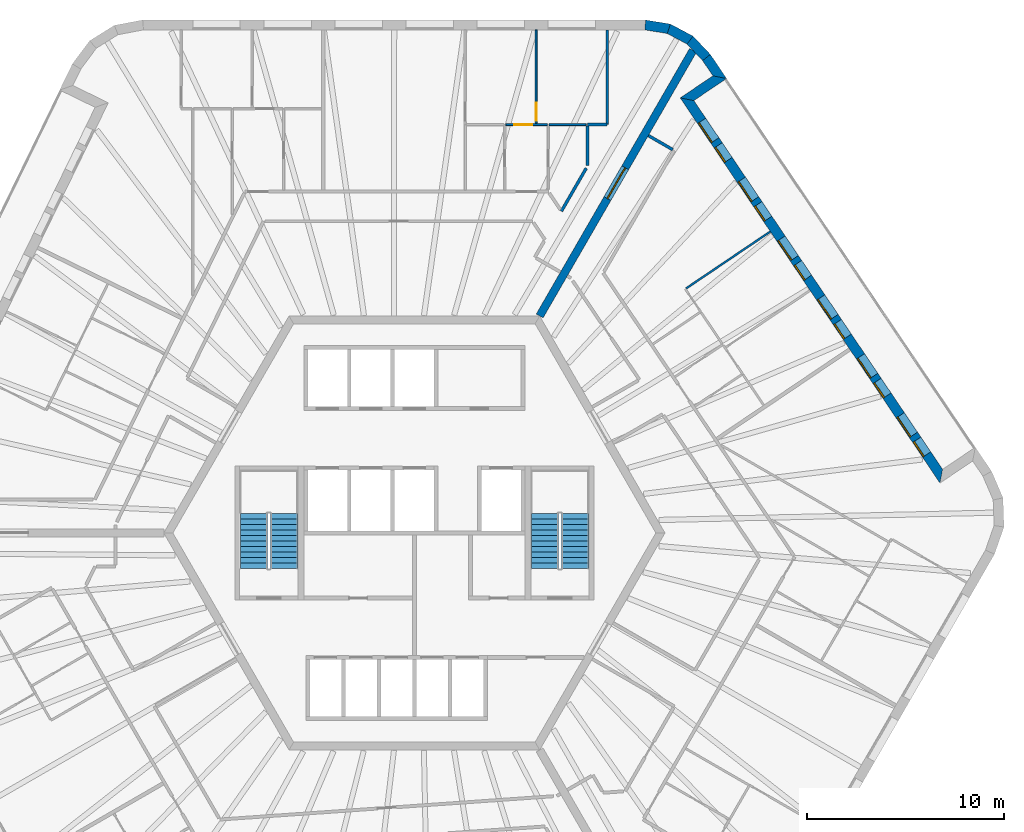
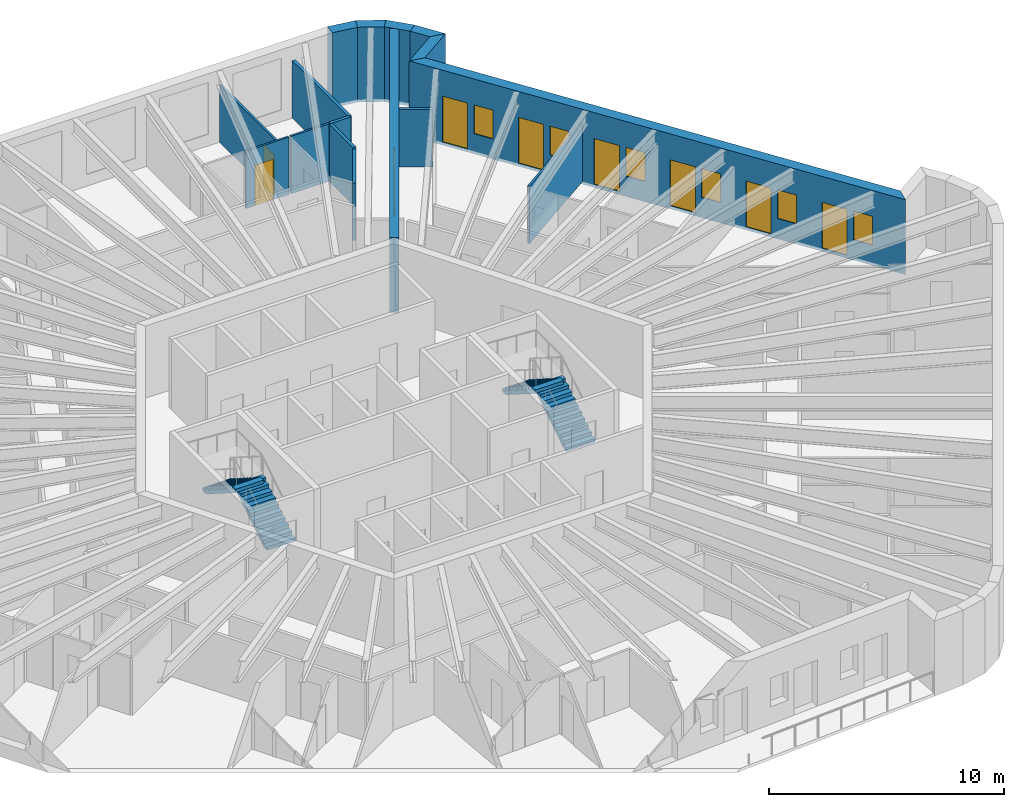
# One storey, part 11 of 12: 16 walls, 9 doors, 6 windows, 4 stair flights, 15 openings, 2 elements without a shape of their own.
"""IFC4 building model written with IfcOpenShell, lengths in metres."""

from ifc_helpers import new_model, si_unit, direction, frame, frame_2d, origin, place, context, subcontext, project, spatial, polyline, rectangle, outline, extrude, material, layer, layer_set, type_object, element, fill, aggregate, save


model = new_model("IFC4")

# Units and contexts
model_context = context("Model", 3, precision=1e-05, world=origin(), true_north=direction((0.0, 1.0)))
body_context = subcontext(model_context, "Body", "Model", "MODEL_VIEW")
ifc_project = project(units=[si_unit("LENGTHUNIT", "METRE"), si_unit("AREAUNIT", "SQUARE_METRE"), si_unit("VOLUMEUNIT", "CUBIC_METRE"), si_unit("PLANEANGLEUNIT", "RADIAN"), si_unit("MASSUNIT", "GRAM", prefix="KILO")], contexts=[model_context])

# Site, building, storey
site_placement = place(None, origin())
site = spatial("IfcSite", under=ifc_project, at=site_placement, CompositionType="ELEMENT")
building_placement = place(site_placement, origin())
building = spatial("IfcBuilding", under=site, at=building_placement, Name="Tarnside Tower", CompositionType="ELEMENT")
storey_placement = place(building_placement, frame((0.0, 0.0, 283.5)))
storey = spatial("IfcBuildingStorey", under=building, at=storey_placement, Name="L68", CompositionType="ELEMENT", Elevation=283.5)

# Wall
ifc_material_1 = material(Name="Gypsum board partition on steel studs", Category="steel")
ifc_layer_1 = layer(ifc_material_1, 0.10009765625)
ifc_layer_set_1 = layer_set([ifc_layer_1], Name="Bathroom wall 100")
wall_type_1 = type_object("IfcWallType", Name="Bathroom wall 100", PredefinedType="PARTITIONING", material=ifc_layer_set_1)
wall_1_placement = place(storey_placement, frame((6.836181640625, 20.699951171875, 0.0), z_axis=(0.0, 0.0, 1.0), x_axis=(1.0, 0.0, 0.0)))
element("IfcWall", 1, at=wall_1_placement, inside=storey, type_object=wall_type_1, Name="Bathroom wall 22094", PredefinedType="PARTITIONING", context=body_context, shape_type="SweptSolid", body=[
    extrude(rectangle(XDim=1.875, YDim=0.10009765625, at=frame_2d((0.9375, 0.0))), origin(), (0.0, 0.0, 1.0), 2.98779296875),
])

# Wall, opening, door
ifc_material_2 = material(Name="Concrete C60/75", Category="concrete")
ifc_layer_2 = layer(ifc_material_2, 0.39990234375)
ifc_layer_set_2 = layer_set([ifc_layer_2], Name="Core wall Z3 400 C60/75")
wall_type_2 = type_object("IfcWallType", Name="Core wall Z3 400 C60/75", PredefinedType="SHEAR", material=ifc_layer_set_2)
wall_2_placement = place(storey_placement, frame((6.350830078125, 11.0, -0.14990234375), z_axis=(0.0, 0.0, 1.0), x_axis=(0.499998894578, 0.866026041999, 0.0)))
wall_2 = element("IfcWall", 2, at=wall_2_placement, inside=storey, type_object=wall_type_2, Name="L68 spine wall 1", PredefinedType="SHEAR", context=body_context, shape_type="SweptSolid", body=[
    extrude(rectangle(XDim=15.54443359375, YDim=0.39990234375, at=frame_2d((7.772216796875, 0.0))), origin(), (0.0, 0.0, 1.0), 3.89990234375),
])
opening_1_placement = place(wall_2_placement, frame((6.872314453125, 0.0, 0.14990234375)))
opening_1 = element("IfcOpeningElement", 3, at=opening_1_placement, cuts=wall_2, Name="Opening CD-SPN", PredefinedType="OPENING", context=body_context, shape_type="SweptSolid", body=[
    extrude(rectangle(XDim=1.800048828125, YDim=2.39990234375, at=frame_2d((0.89990234375, 1.199951171875))), frame((0.0, 0.2099609375, 0.0), z_axis=(0.0, -1.0, 0.0), x_axis=(1.0, 0.0, 0.0)), (0.0, 0.0, 1.0), 0.419921875),
])
ifc_material_3 = material(Name="Steel fire door", Category="steel")
door_type_1 = type_object("IfcDoorType", Name="Spine passage double door FD60 1800x2400", OperationType="NOTDEFINED", PredefinedType="DOOR", material=ifc_material_3)
door_1_placement = place(opening_1_placement, origin())
door_1 = element("IfcDoor", 4, at=door_1_placement, inside=storey, type_object=door_type_1, Name="L68 spine passage door 1", OperationType="DOUBLE_DOOR_SINGLE_SWING", OverallHeight=2.39990234375, OverallWidth=1.800048828125, PredefinedType="DOOR", context=body_context, shape_type="SweptSolid", body=[
    extrude(rectangle(XDim=1.800048828125, YDim=2.39990234375, at=frame_2d((0.89990234375, 1.199951171875))), frame((0.0, 0.02490234375, 0.0), z_axis=(0.0, -1.0, 0.0), x_axis=(1.0, 0.0, 0.0)), (0.0, 0.0, 1.0), 0.050048828125),
])
fill(opening_1, door_1)

# Walls
ifc_layer_3 = layer(ifc_material_1, 0.14990234375)
ifc_layer_set_3 = layer_set([ifc_layer_3], Name="Corridor wall 150 EI 60")
wall_type_3 = type_object("IfcWallType", Name="Corridor wall 150 EI 60", PredefinedType="PARTITIONING", material=ifc_layer_set_3)
wall_3_placement = place(storey_placement, frame((9.77392578125, 20.699951171875, 0.0), z_axis=(0.0, 0.0, 1.0), x_axis=(-1.0, 0.0, 0.0)))
element("IfcWall", 5, at=wall_3_placement, inside=storey, type_object=wall_type_3, Name="Corridor wall 22004", PredefinedType="PARTITIONING", context=body_context, shape_type="SweptSolid", body=[
    extrude(rectangle(XDim=0.991455078125, YDim=0.14990234375, at=frame_2d((0.49560546875, 0.0))), origin(), (0.0, 0.0, 1.0), 2.98779296875),
])
wall_4_placement = place(storey_placement, frame((9.775146484375, 25.5, 0.0), z_axis=(0.0, 0.0, 1.0), x_axis=(0.0, -1.0, 0.0)))
element("IfcWall", 6, at=wall_4_placement, inside=storey, type_object=wall_type_3, Name="Corridor wall 22005", PredefinedType="PARTITIONING", context=body_context, shape_type="SweptSolid", body=[
    extrude(rectangle(XDim=4.798828125, YDim=0.14990234375, at=frame_2d((2.3994140625, 0.0))), origin(), (0.0, 0.0, 1.0), 2.98779296875),
])
wall_5_placement = place(storey_placement, frame((8.7861328125, 20.625, 0.0), z_axis=(0.0, 0.0, 1.0), x_axis=(0.0, -1.0, 0.0)))
element("IfcWall", 7, at=wall_5_placement, inside=storey, type_object=wall_type_3, Name="Corridor wall 22006", PredefinedType="PARTITIONING", context=body_context, shape_type="SweptSolid", body=[
    extrude(rectangle(XDim=2.007080078125, YDim=0.14990234375, at=frame_2d((1.00341796875, 0.0))), origin(), (0.0, 0.0, 1.0), 2.98779296875),
])
wall_6_placement = place(storey_placement, frame((8.711181640625, 18.488037109375, 0.0), z_axis=(0.0, 0.0, 1.0), x_axis=(-0.500075402517, -0.865981865744, 0.0)))
element("IfcWall", 8, at=wall_6_placement, inside=storey, type_object=wall_type_3, Name="Corridor wall 22007", PredefinedType="PARTITIONING", context=body_context, shape_type="SweptSolid", body=[
    extrude(rectangle(XDim=2.5146484375, YDim=0.14990234375, at=frame_2d((1.25732421875, 0.0))), origin(), (0.0, 0.0, 1.0), 2.98779296875),
])
wall_7_placement = place(storey_placement, frame((13.09423828125, 19.429931640625, 0.0), z_axis=(0.0, 0.0, 1.0), x_axis=(-0.866062911188, 0.499935029643, 0.0)))
element("IfcWall", 9, at=wall_7_placement, inside=storey, type_object=wall_type_3, Name="Corridor wall 22068", PredefinedType="PARTITIONING", context=body_context, shape_type="SweptSolid", body=[
    extrude(rectangle(XDim=1.425048828125, YDim=0.14990234375, at=frame_2d((0.71240234375, 0.0))), origin(), (0.0, 0.0, 1.0), 2.98779296875),
])

# Wall, openings, doors, windows
ifc_material_4 = material(Name="Dark zinc cladding")
ifc_layer_4 = layer(ifc_material_4, 0.10205078125)
ifc_material_5 = material(Name="Concrete C60/75 precast", Category="concrete")
ifc_layer_5 = layer(ifc_material_5, 0.298095703125)
ifc_material_6 = material(Name="Mineral wool insulation")
ifc_layer_6 = layer(ifc_material_6, 0.10009765625)
ifc_layer_set_4 = layer_set([ifc_layer_4, ifc_layer_5, ifc_layer_6], Name="Loggia wall 500 zinc faced")
wall_type_4 = type_object("IfcWallType", Name="Loggia wall 500 zinc faced", PredefinedType="SOLIDWALL", material=ifc_layer_set_4)
wall_8_placement = place(storey_placement, frame((26.705810546875, 2.87890625, -0.14990234375), z_axis=(0.0, 0.0, 1.0), x_axis=(-0.559197891507, 0.829034208061, 0.0)))
wall_8 = element("IfcWall", 10, at=wall_8_placement, inside=storey, type_object=wall_type_4, Name="Tube wall L68 F6 back 30", PredefinedType="SOLIDWALL", context=body_context, shape_type="SweptSolid", body=[
    extrude(outline(polyline([(0.25, -0.25), (22.794677734375, -0.25), (23.294677734375, 0.25), (-0.25, 0.25), (0.25, -0.25)])), origin(), (0.0, 0.0, 1.0), 3.89990234375),
])
opening_2_placement = place(wall_8_placement, frame((1.322509765625, 0.0, 1.050048828125)))
opening_2 = element("IfcOpeningElement", 11, at=opening_2_placement, cuts=wall_8, Name="Opening WL500", PredefinedType="OPENING", context=body_context, shape_type="SweptSolid", body=[
    extrude(rectangle(XDim=0.89990234375, YDim=1.5, at=frame_2d((0.449951171875, 0.75))), frame((0.0, 0.260009765625, 0.0), z_axis=(0.0, -1.0, 0.0), x_axis=(1.0, 0.0, 0.0)), (0.0, 0.0, 1.0), 0.52001953125),
])
opening_3_placement = place(wall_8_placement, frame((2.5224609375, 0.0, 0.14990234375)))
opening_3 = element("IfcOpeningElement", 12, at=opening_3_placement, cuts=wall_8, Name="Opening DB500", PredefinedType="OPENING", context=body_context, shape_type="SweptSolid", body=[
    extrude(rectangle(XDim=1.199951171875, YDim=2.39990234375, at=frame_2d((0.60009765625, 1.199951171875))), frame((0.0, 0.260009765625, 0.0), z_axis=(0.0, -1.0, 0.0), x_axis=(1.0, 0.0, 0.0)), (0.0, 0.0, 1.0), 0.52001953125),
])
opening_4_placement = place(wall_8_placement, frame((4.92236328125, 0.0, 1.050048828125)))
opening_4 = element("IfcOpeningElement", 13, at=opening_4_placement, cuts=wall_8, Name="Opening WL500", PredefinedType="OPENING", context=body_context, shape_type="SweptSolid", body=[
    extrude(rectangle(XDim=0.89990234375, YDim=1.5, at=frame_2d((0.449951171875, 0.75))), frame((0.0, 0.260009765625, 0.0), z_axis=(0.0, -1.0, 0.0), x_axis=(1.0, 0.0, 0.0)), (0.0, 0.0, 1.0), 0.52001953125),
])
opening_5_placement = place(wall_8_placement, frame((6.122314453125, 0.0, 0.14990234375)))
opening_5 = element("IfcOpeningElement", 14, at=opening_5_placement, cuts=wall_8, Name="Opening DB500", PredefinedType="OPENING", context=body_context, shape_type="SweptSolid", body=[
    extrude(rectangle(XDim=1.199951171875, YDim=2.39990234375, at=frame_2d((0.60009765625, 1.199951171875))), frame((0.0, 0.260009765625, 0.0), z_axis=(0.0, -1.0, 0.0), x_axis=(1.0, 0.0, 0.0)), (0.0, 0.0, 1.0), 0.52001953125),
])
opening_6_placement = place(wall_8_placement, frame((8.5224609375, 0.0, 1.050048828125)))
opening_6 = element("IfcOpeningElement", 15, at=opening_6_placement, cuts=wall_8, Name="Opening WL500", PredefinedType="OPENING", context=body_context, shape_type="SweptSolid", body=[
    extrude(rectangle(XDim=0.89990234375, YDim=1.5, at=frame_2d((0.449951171875, 0.75))), frame((0.0, 0.260009765625, 0.0), z_axis=(0.0, -1.0, 0.0), x_axis=(1.0, 0.0, 0.0)), (0.0, 0.0, 1.0), 0.52001953125),
])
opening_7_placement = place(wall_8_placement, frame((9.722412109375, 0.0, 0.14990234375)))
opening_7 = element("IfcOpeningElement", 16, at=opening_7_placement, cuts=wall_8, Name="Opening DB500", PredefinedType="OPENING", context=body_context, shape_type="SweptSolid", body=[
    extrude(rectangle(XDim=1.199951171875, YDim=2.39990234375, at=frame_2d((0.60009765625, 1.199951171875))), frame((0.0, 0.260009765625, 0.0), z_axis=(0.0, -1.0, 0.0), x_axis=(1.0, 0.0, 0.0)), (0.0, 0.0, 1.0), 0.52001953125),
])
opening_8_placement = place(wall_8_placement, frame((12.122314453125, 0.0, 1.050048828125)))
opening_8 = element("IfcOpeningElement", 17, at=opening_8_placement, cuts=wall_8, Name="Opening WL500", PredefinedType="OPENING", context=body_context, shape_type="SweptSolid", body=[
    extrude(rectangle(XDim=0.89990234375, YDim=1.5, at=frame_2d((0.449951171875, 0.75))), frame((0.0, 0.260009765625, 0.0), z_axis=(0.0, -1.0, 0.0), x_axis=(1.0, 0.0, 0.0)), (0.0, 0.0, 1.0), 0.52001953125),
])
opening_9_placement = place(wall_8_placement, frame((13.322509765625, 0.0, 0.14990234375)))
opening_9 = element("IfcOpeningElement", 18, at=opening_9_placement, cuts=wall_8, Name="Opening DB500", PredefinedType="OPENING", context=body_context, shape_type="SweptSolid", body=[
    extrude(rectangle(XDim=1.199951171875, YDim=2.39990234375, at=frame_2d((0.60009765625, 1.199951171875))), frame((0.0, 0.260009765625, 0.0), z_axis=(0.0, -1.0, 0.0), x_axis=(1.0, 0.0, 0.0)), (0.0, 0.0, 1.0), 0.52001953125),
])
opening_10_placement = place(wall_8_placement, frame((15.722412109375, 0.0, 1.050048828125)))
opening_10 = element("IfcOpeningElement", 19, at=opening_10_placement, cuts=wall_8, Name="Opening WL500", PredefinedType="OPENING", context=body_context, shape_type="SweptSolid", body=[
    extrude(rectangle(XDim=0.89990234375, YDim=1.5, at=frame_2d((0.449951171875, 0.75))), frame((0.0, 0.260009765625, 0.0), z_axis=(0.0, -1.0, 0.0), x_axis=(1.0, 0.0, 0.0)), (0.0, 0.0, 1.0), 0.52001953125),
])
opening_11_placement = place(wall_8_placement, frame((16.92236328125, 0.0, 0.14990234375)))
opening_11 = element("IfcOpeningElement", 20, at=opening_11_placement, cuts=wall_8, Name="Opening DB500", PredefinedType="OPENING", context=body_context, shape_type="SweptSolid", body=[
    extrude(rectangle(XDim=1.199951171875, YDim=2.39990234375, at=frame_2d((0.60009765625, 1.199951171875))), frame((0.0, 0.260009765625, 0.0), z_axis=(0.0, -1.0, 0.0), x_axis=(1.0, 0.0, 0.0)), (0.0, 0.0, 1.0), 0.52001953125),
])
opening_12_placement = place(wall_8_placement, frame((19.322509765625, 0.0, 1.050048828125)))
opening_12 = element("IfcOpeningElement", 21, at=opening_12_placement, cuts=wall_8, Name="Opening WL500", PredefinedType="OPENING", context=body_context, shape_type="SweptSolid", body=[
    extrude(rectangle(XDim=0.89990234375, YDim=1.5, at=frame_2d((0.449951171875, 0.75))), frame((0.0, 0.260009765625, 0.0), z_axis=(0.0, -1.0, 0.0), x_axis=(1.0, 0.0, 0.0)), (0.0, 0.0, 1.0), 0.52001953125),
])
opening_13_placement = place(wall_8_placement, frame((20.5224609375, 0.0, 0.14990234375)))
opening_13 = element("IfcOpeningElement", 22, at=opening_13_placement, cuts=wall_8, Name="Opening DB500", PredefinedType="OPENING", context=body_context, shape_type="SweptSolid", body=[
    extrude(rectangle(XDim=1.199951171875, YDim=2.39990234375, at=frame_2d((0.60009765625, 1.199951171875))), frame((0.0, 0.260009765625, 0.0), z_axis=(0.0, -1.0, 0.0), x_axis=(1.0, 0.0, 0.0)), (0.0, 0.0, 1.0), 0.52001953125),
])
ifc_material_7 = material(Name="Aluminium-framed double glazing", Category="aluminium")
door_type_2 = type_object("IfcDoorType", Name="Balcony sliding door 1200 x 2400 in 500 wall", OperationType="SLIDING_TO_LEFT", PredefinedType="DOOR", material=ifc_material_7)
door_2_placement = place(opening_3_placement, frame((0.0, 0.1748046875, 0.0)))
door_2 = element("IfcDoor", 23, at=door_2_placement, inside=storey, type_object=door_type_2, Name="E.BD.L68.F6.00", OperationType="SLIDING_TO_LEFT", OverallHeight=2.39990234375, OverallWidth=1.199951171875, PredefinedType="DOOR", context=body_context, shape_type="SweptSolid", body=[
    extrude(rectangle(XDim=1.199951171875, YDim=2.39990234375, at=frame_2d((0.60009765625, 1.199951171875))), frame((0.0, 0.02490234375, 0.0), z_axis=(0.0, -1.0, 0.0), x_axis=(1.0, 0.0, 0.0)), (0.0, 0.0, 1.0), 0.050048828125),
])
fill(opening_3, door_2)
door_3_placement = place(opening_5_placement, frame((0.0, 0.1748046875, 0.0)))
door_3 = element("IfcDoor", 24, at=door_3_placement, inside=storey, type_object=door_type_2, Name="E.BD.L68.F6.01", OperationType="SLIDING_TO_LEFT", OverallHeight=2.39990234375, OverallWidth=1.199951171875, PredefinedType="DOOR", context=body_context, shape_type="SweptSolid", body=[
    extrude(rectangle(XDim=1.199951171875, YDim=2.39990234375, at=frame_2d((0.60009765625, 1.199951171875))), frame((0.0, 0.02490234375, 0.0), z_axis=(0.0, -1.0, 0.0), x_axis=(1.0, 0.0, 0.0)), (0.0, 0.0, 1.0), 0.050048828125),
])
fill(opening_5, door_3)
door_4_placement = place(opening_7_placement, frame((0.0, 0.1748046875, 0.0)))
door_4 = element("IfcDoor", 25, at=door_4_placement, inside=storey, type_object=door_type_2, Name="E.BD.L68.F6.02", OperationType="SLIDING_TO_LEFT", OverallHeight=2.39990234375, OverallWidth=1.199951171875, PredefinedType="DOOR", context=body_context, shape_type="SweptSolid", body=[
    extrude(rectangle(XDim=1.199951171875, YDim=2.39990234375, at=frame_2d((0.60009765625, 1.199951171875))), frame((0.0, 0.02490234375, 0.0), z_axis=(0.0, -1.0, 0.0), x_axis=(1.0, 0.0, 0.0)), (0.0, 0.0, 1.0), 0.050048828125),
])
fill(opening_7, door_4)
door_5_placement = place(opening_9_placement, frame((0.0, 0.1748046875, 0.0)))
door_5 = element("IfcDoor", 26, at=door_5_placement, inside=storey, type_object=door_type_2, Name="E.BD.L68.F6.03", OperationType="SLIDING_TO_LEFT", OverallHeight=2.39990234375, OverallWidth=1.199951171875, PredefinedType="DOOR", context=body_context, shape_type="SweptSolid", body=[
    extrude(rectangle(XDim=1.199951171875, YDim=2.39990234375, at=frame_2d((0.60009765625, 1.199951171875))), frame((0.0, 0.02490234375, 0.0), z_axis=(0.0, -1.0, 0.0), x_axis=(1.0, 0.0, 0.0)), (0.0, 0.0, 1.0), 0.050048828125),
])
fill(opening_9, door_5)
door_6_placement = place(opening_11_placement, frame((0.0, 0.1748046875, 0.0)))
door_6 = element("IfcDoor", 27, at=door_6_placement, inside=storey, type_object=door_type_2, Name="E.BD.L68.F6.04", OperationType="SLIDING_TO_LEFT", OverallHeight=2.39990234375, OverallWidth=1.199951171875, PredefinedType="DOOR", context=body_context, shape_type="SweptSolid", body=[
    extrude(rectangle(XDim=1.199951171875, YDim=2.39990234375, at=frame_2d((0.60009765625, 1.199951171875))), frame((0.0, 0.02490234375, 0.0), z_axis=(0.0, -1.0, 0.0), x_axis=(1.0, 0.0, 0.0)), (0.0, 0.0, 1.0), 0.050048828125),
])
fill(opening_11, door_6)
door_7_placement = place(opening_13_placement, frame((0.0, 0.1748046875, 0.0)))
door_7 = element("IfcDoor", 28, at=door_7_placement, inside=storey, type_object=door_type_2, Name="E.BD.L68.F6.05", OperationType="SLIDING_TO_LEFT", OverallHeight=2.39990234375, OverallWidth=1.199951171875, PredefinedType="DOOR", context=body_context, shape_type="SweptSolid", body=[
    extrude(rectangle(XDim=1.199951171875, YDim=2.39990234375, at=frame_2d((0.60009765625, 1.199951171875))), frame((0.0, 0.02490234375, 0.0), z_axis=(0.0, -1.0, 0.0), x_axis=(1.0, 0.0, 0.0)), (0.0, 0.0, 1.0), 0.050048828125),
])
fill(opening_13, door_7)
window_type = type_object("IfcWindowType", Name="Loggia window 900 x 1500 in 500 wall", PartitioningType="SINGLE_PANEL", PredefinedType="WINDOW", material=ifc_material_7)
window_1_placement = place(opening_2_placement, frame((0.0, 0.179931640625, 0.0)))
window_1 = element("IfcWindow", 29, at=window_1_placement, inside=storey, type_object=window_type, Name="E.LW.L68.F6.00", OverallHeight=1.5, OverallWidth=0.89990234375, PartitioningType="SINGLE_PANEL", PredefinedType="WINDOW", context=body_context, shape_type="SweptSolid", body=[
    extrude(rectangle(XDim=0.89990234375, YDim=1.5, at=frame_2d((0.449951171875, 0.75))), frame((0.0, 0.030029296875, 0.0), z_axis=(0.0, -1.0, 0.0), x_axis=(1.0, 0.0, 0.0)), (0.0, 0.0, 1.0), 0.06005859375),
])
fill(opening_2, window_1)
window_2_placement = place(opening_4_placement, frame((0.0, 0.179931640625, 0.0)))
window_2 = element("IfcWindow", 30, at=window_2_placement, inside=storey, type_object=window_type, Name="E.LW.L68.F6.01", OverallHeight=1.5, OverallWidth=0.89990234375, PartitioningType="SINGLE_PANEL", PredefinedType="WINDOW", context=body_context, shape_type="SweptSolid", body=[
    extrude(rectangle(XDim=0.89990234375, YDim=1.5, at=frame_2d((0.449951171875, 0.75))), frame((0.0, 0.030029296875, 0.0), z_axis=(0.0, -1.0, 0.0), x_axis=(1.0, 0.0, 0.0)), (0.0, 0.0, 1.0), 0.06005859375),
])
fill(opening_4, window_2)
window_3_placement = place(opening_6_placement, frame((0.0, 0.179931640625, 0.0)))
window_3 = element("IfcWindow", 31, at=window_3_placement, inside=storey, type_object=window_type, Name="E.LW.L68.F6.02", OverallHeight=1.5, OverallWidth=0.89990234375, PartitioningType="SINGLE_PANEL", PredefinedType="WINDOW", context=body_context, shape_type="SweptSolid", body=[
    extrude(rectangle(XDim=0.89990234375, YDim=1.5, at=frame_2d((0.449951171875, 0.75))), frame((0.0, 0.030029296875, 0.0), z_axis=(0.0, -1.0, 0.0), x_axis=(1.0, 0.0, 0.0)), (0.0, 0.0, 1.0), 0.06005859375),
])
fill(opening_6, window_3)
window_4_placement = place(opening_8_placement, frame((0.0, 0.179931640625, 0.0)))
window_4 = element("IfcWindow", 32, at=window_4_placement, inside=storey, type_object=window_type, Name="E.LW.L68.F6.03", OverallHeight=1.5, OverallWidth=0.89990234375, PartitioningType="SINGLE_PANEL", PredefinedType="WINDOW", context=body_context, shape_type="SweptSolid", body=[
    extrude(rectangle(XDim=0.89990234375, YDim=1.5, at=frame_2d((0.449951171875, 0.75))), frame((0.0, 0.030029296875, 0.0), z_axis=(0.0, -1.0, 0.0), x_axis=(1.0, 0.0, 0.0)), (0.0, 0.0, 1.0), 0.06005859375),
])
fill(opening_8, window_4)
window_5_placement = place(opening_10_placement, frame((0.0, 0.179931640625, 0.0)))
window_5 = element("IfcWindow", 33, at=window_5_placement, inside=storey, type_object=window_type, Name="E.LW.L68.F6.04", OverallHeight=1.5, OverallWidth=0.89990234375, PartitioningType="SINGLE_PANEL", PredefinedType="WINDOW", context=body_context, shape_type="SweptSolid", body=[
    extrude(rectangle(XDim=0.89990234375, YDim=1.5, at=frame_2d((0.449951171875, 0.75))), frame((0.0, 0.030029296875, 0.0), z_axis=(0.0, -1.0, 0.0), x_axis=(1.0, 0.0, 0.0)), (0.0, 0.0, 1.0), 0.06005859375),
])
fill(opening_10, window_5)
window_6_placement = place(opening_12_placement, frame((0.0, 0.179931640625, 0.0)))
window_6 = element("IfcWindow", 34, at=window_6_placement, inside=storey, type_object=window_type, Name="E.LW.L68.F6.05", OverallHeight=1.5, OverallWidth=0.89990234375, PartitioningType="SINGLE_PANEL", PredefinedType="WINDOW", context=body_context, shape_type="SweptSolid", body=[
    extrude(rectangle(XDim=0.89990234375, YDim=1.5, at=frame_2d((0.449951171875, 0.75))), frame((0.0, 0.030029296875, 0.0), z_axis=(0.0, -1.0, 0.0), x_axis=(1.0, 0.0, 0.0)), (0.0, 0.0, 1.0), 0.06005859375),
])
fill(opening_12, window_6)

# Walls
wall_9_placement = place(storey_placement, frame((13.8193359375, 21.983642578125, -0.14990234375), z_axis=(0.0, 0.0, 1.0), x_axis=(0.829052389485, 0.559170935841, 0.0)))
element("IfcWall", 35, at=wall_9_placement, inside=storey, type_object=wall_type_4, Name="Tube wall L68 F6 return 31", PredefinedType="SOLIDWALL", context=body_context, shape_type="SweptSolid", body=[
    extrude(outline(polyline([(0.25, -0.25), (2.25, -0.25), (1.75, 0.25), (-0.25, 0.25), (0.25, -0.25)])), origin(), (0.0, 0.0, 1.0), 3.89990234375),
])
wall_10_placement = place(storey_placement, frame((15.4775390625, 23.10205078125, -0.14990234375), z_axis=(0.0, 0.0, 1.0), x_axis=(-0.559245726333, 0.829001940636, 0.0)))
element("IfcWall", 36, at=wall_10_placement, inside=storey, type_object=wall_type_4, Name="Tube wall L68 F6 stub 32", PredefinedType="SOLIDWALL", context=body_context, shape_type="SweptSolid", body=[
    extrude(outline(polyline([(-0.25, -0.25), (1.220703125, -0.25), (1.1796875, 0.25), (0.25, 0.25), (-0.25, -0.25)])), origin(), (0.0, 0.0, 1.0), 3.89990234375),
])

# Wall, opening, door
ifc_layer_7 = layer(ifc_material_1, 0.10009765625)
ifc_layer_set_5 = layer_set([ifc_layer_7], Name="Partition 100")
wall_type_5 = type_object("IfcWallType", Name="Partition 100", PredefinedType="PARTITIONING", material=ifc_layer_set_5)
wall_11_placement = place(storey_placement, frame((6.738037109375, 20.699951171875, 0.0), z_axis=(0.0, 0.0, 1.0), x_axis=(-1.0, 0.0, 0.0)))
wall_11 = element("IfcWall", 37, at=wall_11_placement, inside=storey, type_object=wall_type_5, Name="Partition wall 22089", PredefinedType="PARTITIONING", context=body_context, shape_type="SweptSolid", body=[
    extrude(rectangle(XDim=2.10400390625, YDim=0.10009765625, at=frame_2d((1.052001953125, 0.0))), origin(), (0.0, 0.0, 1.0), 2.98779296875),
])
opening_14_placement = place(wall_11_placement, frame((0.762939453125, 0.0, 0.0)))
opening_14 = element("IfcOpeningElement", 38, at=opening_14_placement, cuts=wall_11, Name="Opening D-I1", PredefinedType="OPENING", context=body_context, shape_type="SweptSolid", body=[
    extrude(rectangle(XDim=0.89990234375, YDim=2.10009765625, at=frame_2d((0.449951171875, 1.050048828125))), frame((0.0, 0.06005859375, 0.0), z_axis=(0.0, -1.0, 0.0), x_axis=(1.0, 0.0, 0.0)), (0.0, 0.0, 1.0), 0.1201171875),
])
ifc_material_8 = material(Name="Timber door leaf", Category="wood")
door_type_3 = type_object("IfcDoorType", Name="Internal door 900", OperationType="NOTDEFINED", PredefinedType="DOOR", material=ifc_material_8)
door_8_placement = place(opening_14_placement, origin())
door_8 = element("IfcDoor", 39, at=door_8_placement, inside=storey, type_object=door_type_3, Name="Internal door 22005", OperationType="SINGLE_SWING_RIGHT", OverallHeight=2.10009765625, OverallWidth=0.89990234375, PredefinedType="DOOR", context=body_context, shape_type="SweptSolid", body=[
    extrude(rectangle(XDim=0.89990234375, YDim=2.10009765625, at=frame_2d((0.449951171875, 1.050048828125))), frame((0.0, 0.02490234375, 0.0), z_axis=(0.0, -1.0, 0.0), x_axis=(1.0, 0.0, 0.0)), (0.0, 0.0, 1.0), 0.050048828125),
])
fill(opening_14, door_8)

wall_12_placement = place(storey_placement, frame((6.17529296875, 25.5, 0.0), z_axis=(0.0, 0.0, 1.0), x_axis=(0.0, -1.0, 0.0)))
wall_12 = element("IfcWall", 40, at=wall_12_placement, inside=storey, type_object=wall_type_5, Name="Partition wall 22093", PredefinedType="PARTITIONING", context=body_context, shape_type="SweptSolid", body=[
    extrude(rectangle(XDim=4.75, YDim=0.10009765625, at=frame_2d((2.375, 0.0))), origin(), (0.0, 0.0, 1.0), 2.98779296875),
])
opening_15_placement = place(wall_12_placement, frame((3.699951171875, 0.0, 0.0)))
opening_15 = element("IfcOpeningElement", 41, at=opening_15_placement, cuts=wall_12, Name="Opening D-I1", PredefinedType="OPENING", context=body_context, shape_type="SweptSolid", body=[
    extrude(rectangle(XDim=0.89990234375, YDim=2.10009765625, at=frame_2d((0.449951171875, 1.050048828125))), frame((0.0, 0.06005859375, 0.0), z_axis=(0.0, -1.0, 0.0), x_axis=(1.0, 0.0, 0.0)), (0.0, 0.0, 1.0), 0.1201171875),
])
door_9_placement = place(opening_15_placement, origin())
door_9 = element("IfcDoor", 42, at=door_9_placement, inside=storey, type_object=door_type_3, Name="Internal door 22008", OperationType="SINGLE_SWING_RIGHT", OverallHeight=2.10009765625, OverallWidth=0.89990234375, PredefinedType="DOOR", context=body_context, shape_type="SweptSolid", body=[
    extrude(rectangle(XDim=0.89990234375, YDim=2.10009765625, at=frame_2d((0.449951171875, 1.050048828125))), frame((0.0, 0.02490234375, 0.0), z_axis=(0.0, -1.0, 0.0), x_axis=(1.0, 0.0, 0.0)), (0.0, 0.0, 1.0), 0.050048828125),
])
fill(opening_15, door_9)

# Walls
wall_13_placement = place(storey_placement, frame((13.772705078125, 12.396240234375, 0.0), z_axis=(0.0, 0.0, 1.0), x_axis=(0.82903328576, 0.559199258853, 0.0)))
element("IfcWall", 43, at=wall_13_placement, inside=storey, type_object=wall_type_5, Name="Partition wall 22168", PredefinedType="PARTITIONING", context=body_context, shape_type="SweptSolid", body=[
    extrude(rectangle(XDim=5.14990234375, YDim=0.10009765625, at=frame_2d((2.574951171875, 0.0))), origin(), (0.0, 0.0, 1.0), 2.98779296875),
])
ifc_material_9 = material(Name="Facing brick", Category="masonry")
ifc_layer_8 = layer(ifc_material_9, 0.10205078125)
ifc_layer_9 = layer(ifc_material_5, 0.298095703125)
ifc_layer_10 = layer(ifc_material_6, 0.10009765625)
ifc_layer_set_6 = layer_set([ifc_layer_8, ifc_layer_9, ifc_layer_10], Name="Tube wall 500 brick faced")
wall_type_6 = type_object("IfcWallType", Name="Tube wall 500 brick faced", PredefinedType="SOLIDWALL", material=ifc_layer_set_6)
wall_14_placement = place(storey_placement, frame((14.806396484375, 24.096923828125, -0.14990234375), z_axis=(0.0, 0.0, 1.0), x_axis=(-0.686234452793, 0.727380420275, 0.0)))
element("IfcWall", 44, at=wall_14_placement, inside=storey, type_object=wall_type_6, Name="Tube wall L68 F6 chord 33", PredefinedType="SOLIDWALL", context=body_context, shape_type="SweptSolid", body=[
    extrude(outline(polyline([(-0.0205078125, -0.25), (1.25732421875, -0.25), (1.17529296875, 0.25), (0.0205078125, 0.25), (-0.0205078125, -0.25)])), origin(), (0.0, 0.0, 1.0), 3.89990234375),
])
wall_15_placement = place(storey_placement, frame((13.9716796875, 24.981689453125, -0.14990234375), z_axis=(0.0, 0.0, 1.0), x_axis=(-0.882902492938, 0.469556373575, 0.0)))
element("IfcWall", 45, at=wall_15_placement, inside=storey, type_object=wall_type_6, Name="Tube wall L68 F6 chord 34", PredefinedType="SOLIDWALL", context=body_context, shape_type="SweptSolid", body=[
    extrude(outline(polyline([(-0.041015625, -0.25), (1.257080078125, -0.25), (1.175048828125, 0.25), (0.041015625, 0.25), (-0.041015625, -0.25)])), origin(), (0.0, 0.0, 1.0), 3.89990234375),
])
wall_16_placement = place(storey_placement, frame((12.89794921875, 25.552734375, -0.14990234375), z_axis=(0.0, 0.0, 1.0), x_axis=(-0.986765617372, 0.16215306464, 0.0)))
element("IfcWall", 46, at=wall_16_placement, inside=storey, type_object=wall_type_6, Name="Tube wall L68 F6 chord 35", PredefinedType="SOLIDWALL", context=body_context, shape_type="SweptSolid", body=[
    extrude(outline(polyline([(-0.041015625, -0.25), (1.237060546875, -0.25), (1.196044921875, 0.25), (0.041015625, 0.25), (-0.041015625, -0.25)])), origin(), (0.0, 0.0, 1.0), 3.89990234375),
])

# Stair, stair flights
ifc_material_10 = material(Name="Concrete C40/50", Category="concrete")
stair_type = type_object("IfcStairType", Name="Exit stair 1400 clear", PredefinedType="HALF_TURN_STAIR", material=ifc_material_10)
stair_1_placement = place(storey_placement, origin())
stair_1 = element("IfcStair", 47, at=stair_1_placement, inside=storey, type_object=stair_type, Name="L68 Exit stair 1", PredefinedType="HALF_TURN_STAIR")
stair_flight_type = type_object("IfcStairFlightType", Name="Exit stair flight 1400", PredefinedType="STRAIGHT", material=ifc_material_10)
stair_flight_1_placement = place(storey_placement, frame((8.14990234375, -1.800048828125, 0.0), z_axis=(0.0, 0.0, 1.0), x_axis=(0.0, 1.0, 0.0)))
stair_flight_1 = element("IfcStairFlight", 48, at=stair_flight_1_placement, type_object=stair_flight_type, Name="ST1 flight 1", NumberOfRisers=11, NumberOfTreads=10, PredefinedType="STRAIGHT", RiserHeight=0.177272727, TreadLength=0.28, context=body_context, shape_type="SweptSolid", body=[
    extrude(outline(polyline([(0.0, 0.0), (0.0, 0.17724609375), (0.280029296875, 0.17724609375), (0.280029296875, 0.3544921875), (0.56005859375, 0.3544921875), (0.56005859375, 0.53173828125), (0.840087890625, 0.53173828125), (0.840087890625, 0.708984375), (1.1201171875, 0.708984375), (1.1201171875, 0.886474609375), (1.39990234375, 0.886474609375), (1.39990234375, 1.063720703125), (1.679931640625, 1.063720703125), (1.679931640625, 1.240966796875), (1.9599609375, 1.240966796875), (1.9599609375, 1.418212890625), (2.239990234375, 1.418212890625), (2.239990234375, 1.595458984375), (2.52001953125, 1.595458984375), (2.52001953125, 1.772705078125), (2.800048828125, 1.772705078125), (2.800048828125, 1.949951171875), (2.800048828125, 1.59521484375), (0.2802734375, 0.0), (0.0, 0.0)])), frame((0.0, 0.699951171875, 0.0), z_axis=(0.0, -1.0, 0.0), x_axis=(1.0, 0.0, 0.0)), (0.0, 0.0, 1.0), 1.39990234375),
])
stair_flight_2_placement = place(storey_placement, frame((6.60009765625, 1.0, 1.949951171875), z_axis=(0.0, 0.0, 1.0), x_axis=(0.0, -1.0, 0.0)))
stair_flight_2 = element("IfcStairFlight", 49, at=stair_flight_2_placement, type_object=stair_flight_type, Name="ST1 flight 2", NumberOfRisers=11, NumberOfTreads=10, PredefinedType="STRAIGHT", RiserHeight=0.177272727, TreadLength=0.28, context=body_context, shape_type="SweptSolid", body=[
    extrude(outline(polyline([(0.0, 0.0), (0.0, 0.17724609375), (0.280029296875, 0.17724609375), (0.280029296875, 0.3544921875), (0.56005859375, 0.3544921875), (0.56005859375, 0.53173828125), (0.840087890625, 0.53173828125), (0.840087890625, 0.708984375), (1.1201171875, 0.708984375), (1.1201171875, 0.886474609375), (1.39990234375, 0.886474609375), (1.39990234375, 1.063720703125), (1.679931640625, 1.063720703125), (1.679931640625, 1.240966796875), (1.9599609375, 1.240966796875), (1.9599609375, 1.418212890625), (2.239990234375, 1.418212890625), (2.239990234375, 1.595458984375), (2.52001953125, 1.595458984375), (2.52001953125, 1.772705078125), (2.800048828125, 1.772705078125), (2.800048828125, 1.949951171875), (2.800048828125, 1.59521484375), (0.2802734375, 0.0), (0.0, 0.0)])), frame((0.0, 0.699951171875, 0.0), z_axis=(0.0, -1.0, 0.0), x_axis=(1.0, 0.0, 0.0)), (0.0, 0.0, 1.0), 1.39990234375),
])
aggregate(stair_1, [stair_flight_1, stair_flight_2])

stair_2_placement = place(storey_placement, origin())
stair_2 = element("IfcStair", 50, at=stair_2_placement, inside=storey, type_object=stair_type, Name="L68 Exit stair 2", PredefinedType="HALF_TURN_STAIR")
stair_flight_3_placement = place(storey_placement, frame((-6.60009765625, -1.800048828125, 0.0), z_axis=(0.0, 0.0, 1.0), x_axis=(0.0, 1.0, 0.0)))
stair_flight_3 = element("IfcStairFlight", 51, at=stair_flight_3_placement, type_object=stair_flight_type, Name="ST2 flight 1", NumberOfRisers=11, NumberOfTreads=10, PredefinedType="STRAIGHT", RiserHeight=0.177272727, TreadLength=0.28, context=body_context, shape_type="SweptSolid", body=[
    extrude(outline(polyline([(0.0, 0.0), (0.0, 0.17724609375), (0.280029296875, 0.17724609375), (0.280029296875, 0.3544921875), (0.56005859375, 0.3544921875), (0.56005859375, 0.53173828125), (0.840087890625, 0.53173828125), (0.840087890625, 0.708984375), (1.1201171875, 0.708984375), (1.1201171875, 0.886474609375), (1.39990234375, 0.886474609375), (1.39990234375, 1.063720703125), (1.679931640625, 1.063720703125), (1.679931640625, 1.240966796875), (1.9599609375, 1.240966796875), (1.9599609375, 1.418212890625), (2.239990234375, 1.418212890625), (2.239990234375, 1.595458984375), (2.52001953125, 1.595458984375), (2.52001953125, 1.772705078125), (2.800048828125, 1.772705078125), (2.800048828125, 1.949951171875), (2.800048828125, 1.59521484375), (0.2802734375, 0.0), (0.0, 0.0)])), frame((0.0, 0.699951171875, 0.0), z_axis=(0.0, -1.0, 0.0), x_axis=(1.0, 0.0, 0.0)), (0.0, 0.0, 1.0), 1.39990234375),
])
stair_flight_4_placement = place(storey_placement, frame((-8.14990234375, 1.0, 1.949951171875), z_axis=(0.0, 0.0, 1.0), x_axis=(0.0, -1.0, 0.0)))
stair_flight_4 = element("IfcStairFlight", 52, at=stair_flight_4_placement, type_object=stair_flight_type, Name="ST2 flight 2", NumberOfRisers=11, NumberOfTreads=10, PredefinedType="STRAIGHT", RiserHeight=0.177272727, TreadLength=0.28, context=body_context, shape_type="SweptSolid", body=[
    extrude(outline(polyline([(0.0, 0.0), (0.0, 0.17724609375), (0.280029296875, 0.17724609375), (0.280029296875, 0.3544921875), (0.56005859375, 0.3544921875), (0.56005859375, 0.53173828125), (0.840087890625, 0.53173828125), (0.840087890625, 0.708984375), (1.1201171875, 0.708984375), (1.1201171875, 0.886474609375), (1.39990234375, 0.886474609375), (1.39990234375, 1.063720703125), (1.679931640625, 1.063720703125), (1.679931640625, 1.240966796875), (1.9599609375, 1.240966796875), (1.9599609375, 1.418212890625), (2.239990234375, 1.418212890625), (2.239990234375, 1.595458984375), (2.52001953125, 1.595458984375), (2.52001953125, 1.772705078125), (2.800048828125, 1.772705078125), (2.800048828125, 1.949951171875), (2.800048828125, 1.59521484375), (0.2802734375, 0.0), (0.0, 0.0)])), frame((0.0, 0.699951171875, 0.0), z_axis=(0.0, -1.0, 0.0), x_axis=(1.0, 0.0, 0.0)), (0.0, 0.0, 1.0), 1.39990234375),
])
aggregate(stair_2, [stair_flight_3, stair_flight_4])

save(model, "model.ifc")
